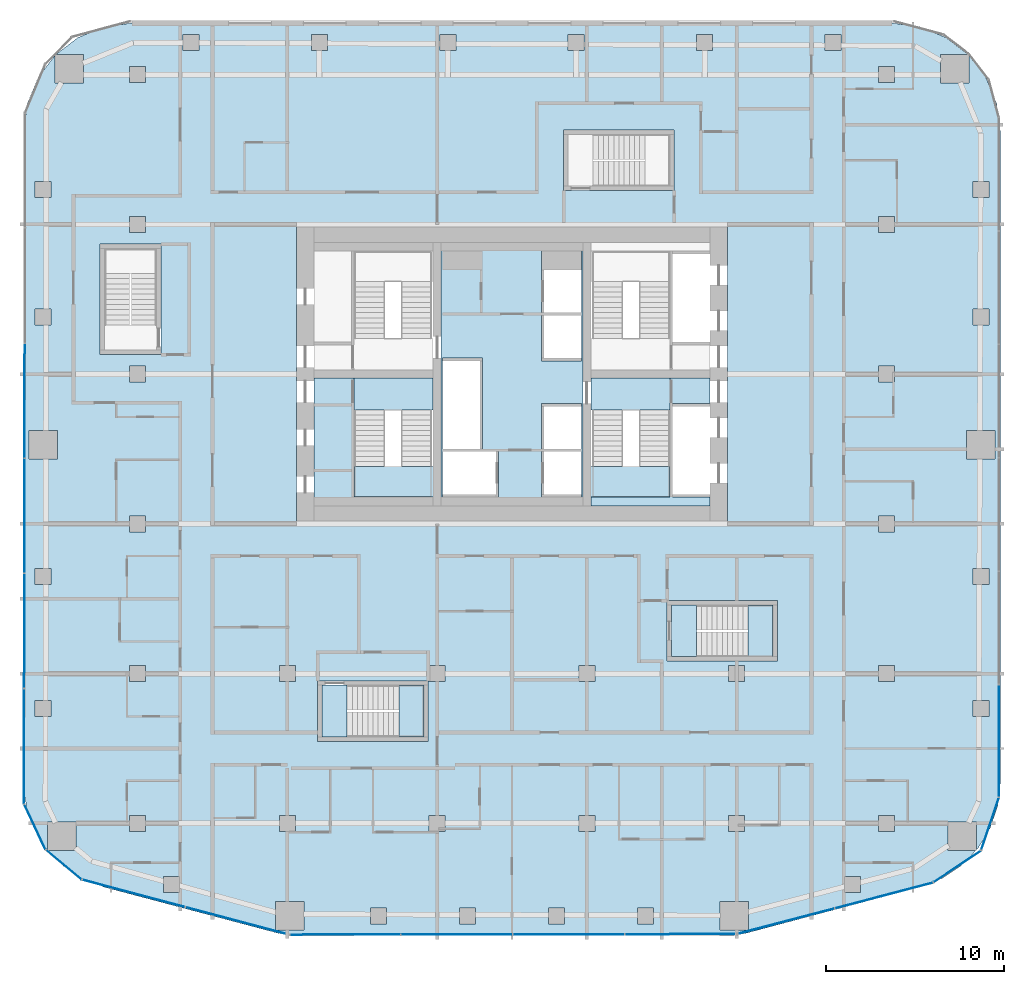
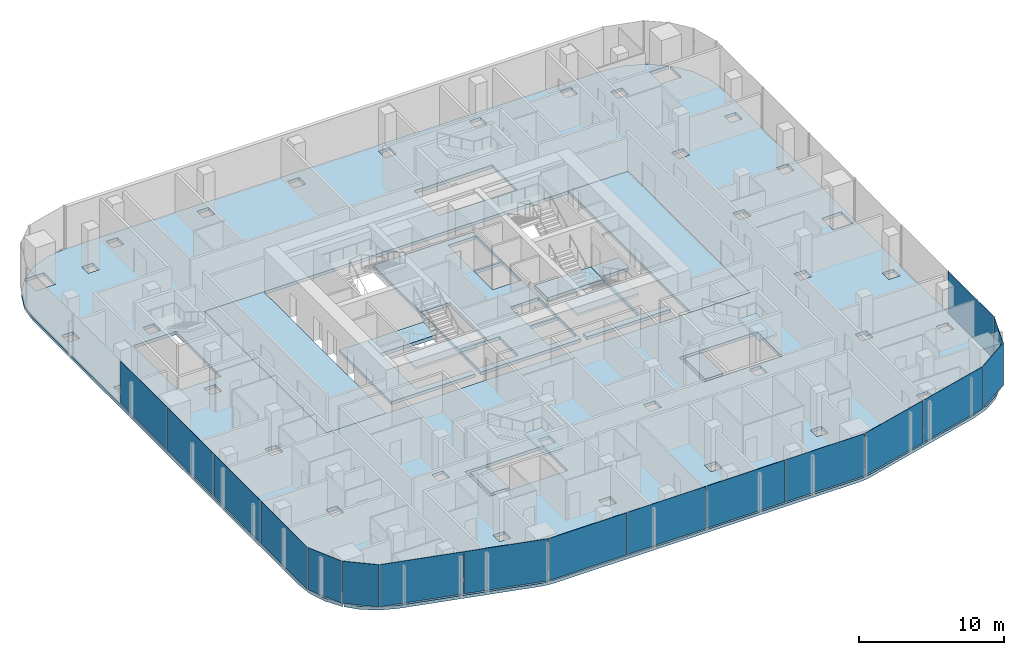
# One storey, part 12 of 23: 17 plates, 14 slabs, 13 elements without a shape of their own.
"""IFC4 building model written with IfcOpenShell, lengths in metres."""

import ifcopenshell
import ifcopenshell.guid

model = None  # the IFC model being written
_history = None  # IfcOwnerHistory: only IFC2X3 demands one
_inside = {}  # id of a spatial element -> (the spatial element, [elements in it])
_under = {}  # id of a project, library or spatial element -> (it, [spatial elements below it])
_declared = {}  # id of a project -> (the project, [libraries it declares])
_typed = {}  # id of a type object -> (the type object, [elements of that type])
_made_of = {}  # id of a material, layer set ... -> (it, [elements and type objects made of it])


def new_model(schema):
    """Start an empty IFC model of exactly this schema.

    Asked for "IFC4X3", IfcOpenShell would pick the latest addendum, in which some entities
    have other attributes; the version numbers below select the first issue.
    IFC2X3 requires an IfcOwnerHistory on every rooted entity: one is made here for all.
    """
    global model, _history
    if schema == "IFC4X3":
        model = ifcopenshell.file(schema_version=(4, 3, 0, 0))
    else:
        model = ifcopenshell.file(schema=schema)
    _inside.clear()
    _under.clear()
    _declared.clear()
    _typed.clear()
    _made_of.clear()
    _history = None
    if model.schema == "IFC2X3":
        org = make("IfcOrganization", Name="unknown")
        user = make(
            "IfcPersonAndOrganization",
            ThePerson=make("IfcPerson", FamilyName="unknown"),
            TheOrganization=org,
        )
        app = make(
            "IfcApplication",
            ApplicationDeveloper=org,
            Version="unknown",
            ApplicationFullName="unknown",
            ApplicationIdentifier="unknown",
        )
        _history = make(
            "IfcOwnerHistory",
            OwningUser=user,
            OwningApplication=app,
            ChangeAction="ADDED",
            CreationDate=0,
        )
    return model


def make(cls, **values):
    """One entity of the class cls with the attributes given. An attribute that is None is left unset."""
    return model.create_entity(
        cls, **{name: value for name, value in values.items() if value is not None}
    )


def rooted(cls, **values):
    """An entity with a GlobalId (a new one), such as an element, a storey or a relation."""
    return make(cls, GlobalId=ifcopenshell.guid.new(), OwnerHistory=_history, **values)


def si_unit(unit_type, name, prefix=None):
    """IfcSIUnit, for example si_unit("LENGTHUNIT", "METRE", prefix="MILLI")."""
    return make("IfcSIUnit", UnitType=unit_type, Prefix=prefix, Name=name)


def assignment(units):
    """IfcUnitAssignment: the units of a project."""
    return None if units is None else make("IfcUnitAssignment", Units=units)


def point(xyz):
    """IfcCartesianPoint."""
    return None if xyz is None else make("IfcCartesianPoint", Coordinates=xyz)


def direction(xyz):
    """IfcDirection."""
    return None if xyz is None else make("IfcDirection", DirectionRatios=xyz)


def frame(location, z_axis=None, x_axis=None):
    """IfcAxis2Placement3D, a coordinate frame: its origin and axes. An axis left out is left unset."""
    return make(
        "IfcAxis2Placement3D",
        Location=point(location),
        Axis=direction(z_axis),
        RefDirection=direction(x_axis),
    )


def frame_2d(location, x_axis=None):
    """IfcAxis2Placement2D, a coordinate frame in the plane: its origin and x axis."""
    return make(
        "IfcAxis2Placement2D", Location=point(location), RefDirection=direction(x_axis)
    )


def origin():
    """The frame at (0, 0, 0) with its axes left unset."""
    return frame((0.0, 0.0, 0.0))


def origin_2d():
    """The frame at (0, 0) in the plane with its x axis left unset."""
    return frame_2d((0.0, 0.0))


def place(relative_to, where):
    """IfcLocalPlacement: puts the frame where relative to a parent placement (None: the world)."""
    return make(
        "IfcLocalPlacement", PlacementRelTo=relative_to, RelativePlacement=where
    )


def context(
    kind, dimensions, precision=None, world=None, true_north=None, identifier=None
):
    """IfcGeometricRepresentationContext, for example the 3D "Model" context."""
    return make(
        "IfcGeometricRepresentationContext",
        ContextIdentifier=identifier,
        ContextType=kind,
        CoordinateSpaceDimension=dimensions,
        Precision=precision,
        WorldCoordinateSystem=world,
        TrueNorth=true_north,
    )


def subcontext(parent, identifier, kind, view, scale=None):
    """IfcGeometricRepresentationSubContext, for example "Body" below "Model"."""
    return make(
        "IfcGeometricRepresentationSubContext",
        ContextIdentifier=identifier,
        ContextType=kind,
        ParentContext=parent,
        TargetScale=scale,
        TargetView=view,
    )


def project(units=None, contexts=None):
    """IfcProject with its units and contexts."""
    return rooted(
        "IfcProject",
        Name="project",
        RepresentationContexts=contexts,
        UnitsInContext=assignment(units),
    )


def spatial(cls, under=None, at=None, **own):
    """A site, building, storey or space (cls), placed at a placement, below another one or the project."""
    s = rooted(cls, ObjectPlacement=at, **own)
    if under is not None:
        _under.setdefault(under.id(), (under, []))[1].append(s)
    return s


def polyline(points):
    """IfcPolyline through the points."""
    return make("IfcPolyline", Points=[point(p) for p in points])


def profile(cls, at=None, kind="AREA", **sizes):
    """A parametric profile (cls). Its sizes go by their IFC names, for example OverallWidth=200.0."""
    return make(cls, ProfileType=kind, Position=at, **sizes)


def rectangle(**sizes):
    """IfcRectangleProfileDef."""
    return profile("IfcRectangleProfileDef", **sizes)


def outline(outer, holes=None, kind="AREA"):
    """IfcArbitraryClosedProfileDef: a profile drawn as a closed curve; with holes, ...WithVoids."""
    if holes is None:
        return make("IfcArbitraryClosedProfileDef", ProfileType=kind, OuterCurve=outer)
    return make(
        "IfcArbitraryProfileDefWithVoids",
        ProfileType=kind,
        OuterCurve=outer,
        InnerCurves=holes,
    )


def extrude(swept, where, along, depth):
    """IfcExtrudedAreaSolid: the profile swept, set in the frame where, extruded along a direction by depth."""
    return make(
        "IfcExtrudedAreaSolid",
        SweptArea=swept,
        Position=where,
        ExtrudedDirection=direction(along),
        Depth=depth,
    )


def shape(context_of_items, identifier, shape_type, items):
    """IfcShapeRepresentation: the items that make up one representation, for example the "Body"."""
    return make(
        "IfcShapeRepresentation",
        ContextOfItems=context_of_items,
        RepresentationIdentifier=identifier,
        RepresentationType=shape_type,
        Items=items,
    )


def material(Name=None, Category=None):
    """IfcMaterial."""
    return make("IfcMaterial", Name=Name, Category=Category)


def layer(
    of_material, thickness, ventilated=None, Name=None, Category=None, Priority=None
):
    """IfcMaterialLayer: one layer of a wall or slab, of a material (None: an air gap)."""
    return make(
        "IfcMaterialLayer",
        Material=of_material,
        LayerThickness=thickness,
        IsVentilated=ventilated,
        Name=Name,
        Category=Category,
        Priority=Priority,
    )


def layer_set(layers, Name=None):
    """IfcMaterialLayerSet."""
    return make("IfcMaterialLayerSet", MaterialLayers=layers, LayerSetName=Name)


def made_of(thing, what):
    """Note that an element or type object is made of a material, layer set ...; save() writes the relation."""
    if what is not None:
        _made_of.setdefault(what.id(), (what, []))[1].append(thing)
    return thing


def type_object(cls, material=None, **own):
    """A type object (cls), such as IfcWallType, which elements share."""
    return made_of(rooted(cls, **own), material)


def element(
    cls,
    number,
    at=None,
    inside=None,
    cuts=None,
    type_object=None,
    material=None,
    context=None,
    identifier="Body",
    shape_type=None,
    held_by="IfcProductDefinitionShape",
    body=None,
    shapes=None,
    **own,
):
    """One element of the class cls, such as IfcWall. Its Tag is "e" and its number.

    at: its placement. inside: the storey or other place that contains it. cuts: it is an
    opening in that element (IfcRelVoidsElement). A single representation is given by context,
    identifier, shape_type and body (its items); several are given by shapes. held_by: the class
    of the entity that holds the representations. save() writes the other relations.
    """
    e = rooted(cls, Tag="e%d" % number, ObjectPlacement=at, **own)
    if body is not None:
        shapes = [shape(context, identifier, shape_type, body)]
    if shapes is not None:
        e.Representation = make(held_by, Representations=shapes)
    if inside is not None:
        _inside.setdefault(inside.id(), (inside, []))[1].append(e)
    if cuts is not None:
        rooted(
            "IfcRelVoidsElement", RelatingBuildingElement=cuts, RelatedOpeningElement=e
        )
    if type_object is not None:
        _typed.setdefault(type_object.id(), (type_object, []))[1].append(e)
    return made_of(e, material)


def aggregate(whole, parts):
    """IfcRelAggregates: a whole, such as a stair, and the parts it consists of."""
    return rooted("IfcRelAggregates", RelatingObject=whole, RelatedObjects=parts)


def save(model, path):
    """Write the relations noted so far, then the file.

    IfcRelAggregates (storeys below a building ...), IfcRelContainedInSpatialStructure (elements
    in a storey), IfcRelDefinesByType, IfcRelAssociatesMaterial and IfcRelDeclares: one each for
    every whole, place, type object, material and project.
    """
    for whole, parts in _under.values():
        aggregate(whole, parts)
    for where, things in _inside.values():
        rooted(
            "IfcRelContainedInSpatialStructure",
            RelatedElements=things,
            RelatingStructure=where,
        )
    for kind, things in _typed.values():
        rooted("IfcRelDefinesByType", RelatedObjects=things, RelatingType=kind)
    for what, things in _made_of.values():
        rooted("IfcRelAssociatesMaterial", RelatedObjects=things, RelatingMaterial=what)
    for by, libraries in _declared.values():
        rooted("IfcRelDeclares", RelatingContext=by, RelatedDefinitions=libraries)
    model.write(path)


model = new_model("IFC4")

# Units and contexts
model_context = context("Model", 3, precision=1e-05, world=origin(), true_north=direction((0.0, 1.0)))
body_context = subcontext(model_context, "Body", "Model", "MODEL_VIEW")
ifc_project = project(units=[si_unit("LENGTHUNIT", "METRE"), si_unit("AREAUNIT", "SQUARE_METRE"), si_unit("VOLUMEUNIT", "CUBIC_METRE"), si_unit("PLANEANGLEUNIT", "RADIAN"), si_unit("MASSUNIT", "GRAM", prefix="KILO")], contexts=[model_context])

# Site, building, storey
site_placement = place(None, origin())
site = spatial("IfcSite", under=ifc_project, at=site_placement, CompositionType="ELEMENT")
building_placement = place(site_placement, origin())
building = spatial("IfcBuilding", under=site, at=building_placement, Name="Marenta Gate Hotel Tower", CompositionType="ELEMENT")
storey_placement = place(building_placement, frame((0.0, 0.0, 155.300048828125)))
storey = spatial("IfcBuildingStorey", under=building, at=storey_placement, Name="L36", CompositionType="ELEMENT", Elevation=155.300048828125)

# Slabs
ifc_material_1 = material(Name="Concrete C35", Category="concrete")
ifc_layer_1 = layer(ifc_material_1, 0.260009765625)
ifc_layer_set_1 = layer_set([ifc_layer_1], Name="Concrete C35")
slab_type_1 = type_object("IfcSlabType", Name="Concrete floor slab 260", PredefinedType="FLOOR", material=ifc_layer_set_1)
slab_1_placement = place(storey_placement, frame((0.0, 0.0, -0.260009765625)))
element("IfcSlab", 1, at=slab_1_placement, inside=storey, type_object=slab_type_1, Name="L36-SL-1", PredefinedType="FLOOR", context=body_context, shape_type="SweptSolid", body=[
    extrude(outline(polyline([(-25.213623046875, -19.1640625), (-26.011474609375, -18.3330078125), (-24.462890625, -18.3330078125), (-24.462890625, -16.73291015625), (-26.06298828125, -16.73291015625), (-26.06298828125, -18.279296875), (-26.13525390625, -18.2041015625), (-26.826904296875, -17.06689453125), (-27.25537109375, -15.80712890625), (-27.39990234375, -14.48974609375), (-27.39990234375, 22.006591796875), (-27.193115234375, 23.5791015625), (-26.58349609375, 25.050537109375), (-25.635498046875, 26.285888671875), (-25.635498046875, 24.735595703125), (-24.035400390625, 24.735595703125), (-24.035400390625, 26.33544921875), (-25.585693359375, 26.33544921875), (-24.350341796875, 27.283447265625), (-22.87890625, 27.89306640625), (-21.306640625, 28.10009765625), (21.306640625, 28.10009765625), (22.87890625, 27.89306640625), (24.350341796875, 27.283447265625), (25.585693359375, 26.33544921875), (24.035400390625, 26.33544921875), (24.035400390625, 24.735595703125), (25.635498046875, 24.735595703125), (25.635498046875, 26.285888671875), (26.58349609375, 25.050537109375), (27.193115234375, 23.5791015625), (27.39990234375, 22.006591796875), (27.39990234375, -14.48974609375), (27.25537109375, -15.80712890625), (26.826904296875, -17.06689453125), (26.13525390625, -18.2041015625), (26.06298828125, -18.279296875), (26.06298828125, -16.73291015625), (24.462890625, -16.73291015625), (24.462890625, -18.3330078125), (26.011474609375, -18.3330078125), (25.213623046875, -19.1640625), (24.105712890625, -19.9013671875), (22.86962890625, -20.37890625), (13.126708984375, -22.963623046875), (12.608642578125, -23.065673828125), (12.08154296875, -23.10009765625), (-12.08154296875, -23.10009765625), (-12.608642578125, -23.065673828125), (-13.126708984375, -22.963623046875), (-22.86962890625, -20.37890625), (-24.105712890625, -19.9013671875), (-25.213623046875, -19.1640625)]), holes=[polyline([(-16.800048828125, 0.0), (16.800048828125, 0.0), (16.800048828125, 16.800048828125), (-16.800048828125, 16.800048828125), (-16.800048828125, 0.0)]), polyline([(-18.65673828125, -19.7890625), (-19.556884765625, -19.7890625), (-19.556884765625, -20.689208984375), (-18.65673828125, -20.689208984375), (-18.65673828125, -19.7890625)]), polyline([(-20.550048828125, -17.25), (-20.550048828125, -16.35009765625), (-21.449951171875, -16.35009765625), (-21.449951171875, -17.25), (-20.550048828125, -17.25)]), polyline([(-12.14990234375, -16.35009765625), (-13.050048828125, -16.35009765625), (-13.050048828125, -17.25), (-12.14990234375, -17.25), (-12.14990234375, -16.35009765625)]), polyline([(-25.85009765625, -10.802001953125), (-25.85009765625, -9.90185546875), (-26.75, -9.90185546875), (-26.75, -10.802001953125), (-25.85009765625, -10.802001953125)]), polyline([(-20.550048828125, -8.85009765625), (-20.550048828125, -7.949951171875), (-21.449951171875, -7.949951171875), (-21.449951171875, -8.85009765625), (-20.550048828125, -8.85009765625)]), polyline([(-25.85009765625, -2.5009765625), (-26.75, -2.5009765625), (-26.75, -3.40087890625), (-25.85009765625, -3.40087890625), (-25.85009765625, -2.5009765625)]), polyline([(-20.550048828125, -0.449951171875), (-20.550048828125, 0.449951171875), (-21.449951171875, 0.449951171875), (-21.449951171875, -0.449951171875), (-20.550048828125, -0.449951171875)]), polyline([(-25.5, 3.64990234375), (-25.5, 5.25), (-27.10009765625, 5.25), (-27.10009765625, 3.64990234375), (-25.5, 3.64990234375)]), polyline([(-20.550048828125, 8.85009765625), (-21.449951171875, 8.85009765625), (-21.449951171875, 7.949951171875), (-20.550048828125, 7.949951171875), (-20.550048828125, 8.85009765625)]), polyline([(-25.85009765625, 11.1533203125), (-25.85009765625, 12.05322265625), (-26.75, 12.05322265625), (-26.75, 11.1533203125), (-25.85009765625, 11.1533203125)]), polyline([(-20.550048828125, 16.35009765625), (-20.550048828125, 17.25), (-21.449951171875, 17.25), (-21.449951171875, 16.35009765625), (-20.550048828125, 16.35009765625)]), polyline([(-25.85009765625, 19.206298828125), (-26.75, 19.206298828125), (-26.75, 18.306396484375), (-25.85009765625, 18.306396484375), (-25.85009765625, 19.206298828125)]), polyline([(-20.550048828125, 24.75), (-20.550048828125, 25.64990234375), (-21.449951171875, 25.64990234375), (-21.449951171875, 24.75), (-20.550048828125, 24.75)]), polyline([(-17.556884765625, 27.449951171875), (-18.456787109375, 27.449951171875), (-18.456787109375, 26.550048828125), (-17.556884765625, 26.550048828125), (-17.556884765625, 27.449951171875)]), polyline([(-7.030029296875, -22.449951171875), (-7.030029296875, -21.550048828125), (-7.93017578125, -21.550048828125), (-7.93017578125, -22.449951171875), (-7.030029296875, -22.449951171875)]), polyline([(-2.04345703125, -22.449951171875), (-2.04345703125, -21.550048828125), (-2.943359375, -21.550048828125), (-2.943359375, -22.449951171875), (-2.04345703125, -22.449951171875)]), polyline([(2.943359375, -21.550048828125), (2.04345703125, -21.550048828125), (2.04345703125, -22.449951171875), (2.943359375, -22.449951171875), (2.943359375, -21.550048828125)]), polyline([(7.93017578125, -22.449951171875), (7.93017578125, -21.550048828125), (7.030029296875, -21.550048828125), (7.030029296875, -22.449951171875), (7.93017578125, -22.449951171875)]), polyline([(-11.666259765625, -22.77490234375), (-11.666259765625, -21.1748046875), (-13.266357421875, -21.1748046875), (-13.266357421875, -22.77490234375), (-11.666259765625, -22.77490234375)]), polyline([(13.266357421875, -21.1748046875), (11.666259765625, -21.1748046875), (11.666259765625, -22.77490234375), (13.266357421875, -22.77490234375), (13.266357421875, -21.1748046875)]), polyline([(-3.75, -17.25), (-3.75, -16.35009765625), (-4.64990234375, -16.35009765625), (-4.64990234375, -17.25), (-3.75, -17.25)]), polyline([(4.64990234375, -17.25), (4.64990234375, -16.35009765625), (3.75, -16.35009765625), (3.75, -17.25), (4.64990234375, -17.25)]), polyline([(13.050048828125, -16.35009765625), (12.14990234375, -16.35009765625), (12.14990234375, -17.25), (13.050048828125, -17.25), (13.050048828125, -16.35009765625)]), polyline([(-12.14990234375, -8.85009765625), (-12.14990234375, -7.949951171875), (-13.050048828125, -7.949951171875), (-13.050048828125, -8.85009765625), (-12.14990234375, -8.85009765625)]), polyline([(-3.75, -8.85009765625), (-3.75, -7.949951171875), (-4.64990234375, -7.949951171875), (-4.64990234375, -8.85009765625), (-3.75, -8.85009765625)]), polyline([(4.64990234375, -7.949951171875), (3.75, -7.949951171875), (3.75, -8.85009765625), (4.64990234375, -8.85009765625), (4.64990234375, -7.949951171875)]), polyline([(-10.35400390625, 26.550048828125), (-10.35400390625, 27.449951171875), (-11.254150390625, 27.449951171875), (-11.254150390625, 26.550048828125), (-10.35400390625, 26.550048828125)]), polyline([(-3.1513671875, 26.550048828125), (-3.1513671875, 27.449951171875), (-4.051513671875, 27.449951171875), (-4.051513671875, 26.550048828125), (-3.1513671875, 26.550048828125)]), polyline([(4.051513671875, 27.449951171875), (3.1513671875, 27.449951171875), (3.1513671875, 26.550048828125), (4.051513671875, 26.550048828125), (4.051513671875, 27.449951171875)]), polyline([(11.254150390625, 26.550048828125), (11.254150390625, 27.449951171875), (10.35400390625, 27.449951171875), (10.35400390625, 26.550048828125), (11.254150390625, 26.550048828125)]), polyline([(19.556884765625, -20.689208984375), (19.556884765625, -19.7890625), (18.65673828125, -19.7890625), (18.65673828125, -20.689208984375), (19.556884765625, -20.689208984375)]), polyline([(21.449951171875, -17.25), (21.449951171875, -16.35009765625), (20.550048828125, -16.35009765625), (20.550048828125, -17.25), (21.449951171875, -17.25)]), polyline([(26.75, -10.802001953125), (26.75, -9.90185546875), (25.85009765625, -9.90185546875), (25.85009765625, -10.802001953125), (26.75, -10.802001953125)]), polyline([(13.050048828125, -7.949951171875), (12.14990234375, -7.949951171875), (12.14990234375, -8.85009765625), (13.050048828125, -8.85009765625), (13.050048828125, -7.949951171875)]), polyline([(21.449951171875, -8.85009765625), (21.449951171875, -7.949951171875), (20.550048828125, -7.949951171875), (20.550048828125, -8.85009765625), (21.449951171875, -8.85009765625)]), polyline([(26.75, -3.40087890625), (26.75, -2.5009765625), (25.85009765625, -2.5009765625), (25.85009765625, -3.40087890625), (26.75, -3.40087890625)]), polyline([(21.449951171875, 0.449951171875), (20.550048828125, 0.449951171875), (20.550048828125, -0.449951171875), (21.449951171875, -0.449951171875), (21.449951171875, 0.449951171875)]), polyline([(27.10009765625, 3.64990234375), (27.10009765625, 5.25), (25.5, 5.25), (25.5, 3.64990234375), (27.10009765625, 3.64990234375)]), polyline([(21.449951171875, 7.949951171875), (21.449951171875, 8.85009765625), (20.550048828125, 8.85009765625), (20.550048828125, 7.949951171875), (21.449951171875, 7.949951171875)]), polyline([(26.75, 12.05322265625), (25.85009765625, 12.05322265625), (25.85009765625, 11.1533203125), (26.75, 11.1533203125), (26.75, 12.05322265625)]), polyline([(21.449951171875, 16.35009765625), (21.449951171875, 17.25), (20.550048828125, 17.25), (20.550048828125, 16.35009765625), (21.449951171875, 16.35009765625)]), polyline([(26.75, 18.306396484375), (26.75, 19.206298828125), (25.85009765625, 19.206298828125), (25.85009765625, 18.306396484375), (26.75, 18.306396484375)]), polyline([(21.449951171875, 25.64990234375), (20.550048828125, 25.64990234375), (20.550048828125, 24.75), (21.449951171875, 24.75), (21.449951171875, 25.64990234375)]), polyline([(18.456787109375, 26.550048828125), (18.456787109375, 27.449951171875), (17.556884765625, 27.449951171875), (17.556884765625, 26.550048828125), (18.456787109375, 26.550048828125)]), polyline([(-10.89990234375, -12.199951171875), (-4.699951171875, -12.199951171875), (-4.699951171875, -8.800048828125), (-10.89990234375, -8.800048828125), (-10.89990234375, -12.199951171875)]), polyline([(8.699951171875, -7.699951171875), (14.89990234375, -7.699951171875), (14.89990234375, -4.300048828125), (8.699951171875, -4.300048828125), (8.699951171875, -7.699951171875)]), polyline([(-23.10009765625, 9.5), (-19.699951171875, 9.5), (-19.699951171875, 15.699951171875), (-23.10009765625, 15.699951171875), (-23.10009765625, 9.5)]), polyline([(2.89990234375, 18.699951171875), (9.10009765625, 18.699951171875), (9.10009765625, 22.10009765625), (2.89990234375, 22.10009765625), (2.89990234375, 18.699951171875)])]), origin(), (0.0, 0.0, 1.0), 0.260009765625),
])
ifc_material_2 = material(Name="Concrete C40", Category="concrete")
ifc_layer_2 = layer(ifc_material_2, 0.260009765625)
ifc_layer_set_2 = layer_set([ifc_layer_2], Name="Concrete C40")
slab_type_2 = type_object("IfcSlabType", Name="Core floor slab 260", PredefinedType="FLOOR", material=ifc_layer_set_2)
slab_2_placement = place(storey_placement, frame((0.0, 0.0, -0.260009765625)))
element("IfcSlab", 2, at=slab_2_placement, inside=storey, type_object=slab_type_2, Name="L36-CF-1", PredefinedType="FLOOR", context=body_context, shape_type="SweptSolid", body=[
    extrude(outline(polyline([(12.10009765625, 0.0), (12.10009765625, 16.800048828125), (16.800048828125, 16.800048828125), (16.800048828125, 0.0), (12.10009765625, 0.0)])), origin(), (0.0, 0.0, 1.0), 0.260009765625),
])
slab_3_placement = place(storey_placement, frame((0.0, 0.0, -0.260009765625)))
element("IfcSlab", 3, at=slab_3_placement, inside=storey, type_object=slab_type_2, Name="L36-CF-2", PredefinedType="FLOOR", context=body_context, shape_type="SweptSolid", body=[
    extrude(outline(polyline([(8.85009765625, 1.5), (8.85009765625, 6.39990234375), (8.85009765625, 8.10009765625), (8.85009765625, 8.175048828125), (11.10009765625, 8.175048828125), (11.10009765625, 6.75), (9.0, 6.75), (9.0, 6.60009765625), (9.0, 4.199951171875), (9.0, 4.050048828125), (9.0, 1.64990234375), (9.0, 1.5), (11.10009765625, 1.5), (11.10009765625, 1.0), (4.425048828125, 1.0), (4.425048828125, 1.5), (8.85009765625, 1.5)])), origin(), (0.0, 0.0, 1.0), 0.260009765625),
])
slab_4_placement = place(storey_placement, frame((0.0, 0.0, -0.260009765625)))
element("IfcSlab", 4, at=slab_4_placement, inside=storey, type_object=slab_type_2, Name="L36-CF-4", PredefinedType="FLOOR", context=body_context, shape_type="SweptSolid", body=[
    extrude(outline(polyline([(3.97509765625, 15.300048828125), (3.97509765625, 10.39990234375), (3.97509765625, 6.39990234375), (3.97509765625, 1.5), (3.97509765625, 1.0), (-3.97509765625, 1.0), (-3.97509765625, 1.5), (-3.97509765625, 6.39990234375), (-3.97509765625, 10.39990234375), (-3.97509765625, 15.300048828125), (-3.97509765625, 15.800048828125), (3.97509765625, 15.800048828125), (3.97509765625, 15.300048828125)]), holes=[polyline([(1.64990234375, 1.5), (3.89990234375, 1.5), (3.89990234375, 1.64990234375), (3.89990234375, 4.050048828125), (1.800048828125, 4.050048828125), (1.64990234375, 4.050048828125), (1.64990234375, 1.64990234375), (1.64990234375, 1.5)]), polyline([(1.64990234375, 6.60009765625), (1.64990234375, 4.199951171875), (1.800048828125, 4.199951171875), (3.89990234375, 4.199951171875), (3.89990234375, 6.60009765625), (3.89990234375, 6.75), (1.64990234375, 6.75), (1.64990234375, 6.60009765625)]), polyline([(1.64990234375, 9.14990234375), (3.89990234375, 9.14990234375), (3.89990234375, 9.300048828125), (3.89990234375, 11.699951171875), (1.800048828125, 11.699951171875), (1.64990234375, 11.699951171875), (1.64990234375, 9.300048828125), (1.64990234375, 9.14990234375)]), polyline([(1.64990234375, 15.300048828125), (1.64990234375, 14.25), (1.64990234375, 11.85009765625), (1.800048828125, 11.85009765625), (3.89990234375, 11.85009765625), (3.89990234375, 14.25), (3.89990234375, 15.300048828125), (1.64990234375, 15.300048828125)]), polyline([(-3.89990234375, 4.050048828125), (-3.89990234375, 1.64990234375), (-3.89990234375, 1.5), (-0.89990234375, 1.5), (-0.75, 1.5), (-0.75, 4.050048828125), (-0.89990234375, 4.050048828125), (-3.89990234375, 4.050048828125)]), polyline([(-1.800048828125, 4.199951171875), (-1.64990234375, 4.199951171875), (-1.64990234375, 9.14990234375), (-1.64990234375, 9.300048828125), (-3.89990234375, 9.300048828125), (-3.89990234375, 9.14990234375), (-3.89990234375, 6.75), (-3.89990234375, 6.60009765625), (-3.89990234375, 4.199951171875), (-1.800048828125, 4.199951171875)])]), origin(), (0.0, 0.0, 1.0), 0.260009765625),
])
slab_5_placement = place(storey_placement, frame((0.0, 0.0, -0.260009765625)))
element("IfcSlab", 5, at=slab_5_placement, inside=storey, type_object=slab_type_2, Name="L36-CF-5", PredefinedType="FLOOR", context=body_context, shape_type="SweptSolid", body=[
    extrude(outline(polyline([(-8.85009765625, 8.175048828125), (-8.85009765625, 8.10009765625), (-8.85009765625, 6.39990234375), (-8.85009765625, 1.5), (-4.425048828125, 1.5), (-4.425048828125, 1.0), (-11.10009765625, 1.0), (-11.10009765625, 8.175048828125), (-8.85009765625, 8.175048828125)])), origin(), (0.0, 0.0, 1.0), 0.260009765625),
])
slab_6_placement = place(storey_placement, frame((0.0, 0.0, -0.260009765625)))
element("IfcSlab", 6, at=slab_6_placement, inside=storey, type_object=slab_type_2, Name="L36-CF-7", PredefinedType="FLOOR", context=body_context, shape_type="SweptSolid", body=[
    extrude(outline(polyline([(-12.10009765625, 16.800048828125), (-12.10009765625, 0.0), (-16.800048828125, 0.0), (-16.800048828125, 16.800048828125), (-12.10009765625, 16.800048828125)])), origin(), (0.0, 0.0, 1.0), 0.260009765625),
])

# Stair, slab
ifc_material_3 = material(Name="Concrete C40", Category="concrete")
stair_type_1 = type_object("IfcStairType", Name="Core exit stair 1700 wide", PredefinedType="HALF_TURN_STAIR", material=ifc_material_3)
stair_1_placement = place(storey_placement, origin())
stair_1 = element("IfcStair", 7, at=stair_1_placement, inside=storey, type_object=stair_type_1, Name="Exit stair 1", PredefinedType="HALF_TURN_STAIR")
ifc_material_4 = material(Name="Concrete C40", Category="concrete")
ifc_layer_3 = layer(ifc_material_4, 0.199951171875)
ifc_layer_set_3 = layer_set([ifc_layer_3], Name="Concrete C40")
slab_type_3 = type_object("IfcSlabType", Name="Core stair landing 200", PredefinedType="LANDING", material=ifc_layer_set_3)
slab_7_placement = place(storey_placement, frame((0.0, 0.0, 1.599853515625)))
slab_7 = element("IfcSlab", 8, at=slab_7_placement, type_object=slab_type_3, Name="SL-200 ST1 landing 1", PredefinedType="LANDING", context=body_context, shape_type="SweptSolid", body=[
    extrude(outline(polyline([(-8.85009765625, 1.5), (-3.97509765625, 1.5), (-3.97509765625, 3.2099609375), (-8.85009765625, 3.2099609375), (-8.85009765625, 1.5)])), origin(), (0.0, 0.0, 1.0), 0.2001953125),
])
aggregate(stair_1, [slab_7])

stair_2_placement = place(storey_placement, origin())
stair_2 = element("IfcStair", 9, at=stair_2_placement, inside=storey, type_object=stair_type_1, Name="Exit stair 3", PredefinedType="HALF_TURN_STAIR")
slab_8_placement = place(storey_placement, frame((0.0, 0.0, 1.599853515625)))
slab_8 = element("IfcSlab", 10, at=slab_8_placement, type_object=slab_type_3, Name="SL-200 ST3 landing 1", PredefinedType="LANDING", context=body_context, shape_type="SweptSolid", body=[
    extrude(outline(polyline([(3.97509765625, 1.5), (8.85009765625, 1.5), (8.85009765625, 3.2099609375), (3.97509765625, 3.2099609375), (3.97509765625, 1.5)])), origin(), (0.0, 0.0, 1.0), 0.2001953125),
])
aggregate(stair_2, [slab_8])

# Curtain wall, plates
ifc_material_5 = material(Name="Tinted insulated glass in bronze anodised frame", Category="glass")
ifc_layer_4 = layer(ifc_material_5, 0.1201171875)
ifc_layer_set_4 = layer_set([ifc_layer_4], Name="Tinted insulated glass in bronze anodised frame")
curtain_wall_type = type_object("IfcCurtainWallType", Name="Tower unitised curtain wall CW1", PredefinedType="NOTDEFINED", material=ifc_layer_set_4)
curtain_wall_1_placement = place(storey_placement, origin())
curtain_wall_1 = element("IfcCurtainWall", 11, at=curtain_wall_1_placement, inside=storey, type_object=curtain_wall_type, Name="CW1 run G03", PredefinedType="NOTDEFINED")
ifc_material_6 = material(Name="Tinted insulated glass", Category="glass")
ifc_layer_5 = layer(ifc_material_6, 0.028076171875)
ifc_layer_set_5 = layer_set([ifc_layer_5], Name="Tinted insulated glass")
plate_type = type_object("IfcPlateType", Name="Glass panel CW1 28 mm tinted insulated unit", PredefinedType="CURTAIN_PANEL", material=ifc_layer_set_5)
plate_1_placement = place(storey_placement, frame((-27.337646484375, 6.916259765625, 0.059814453125), z_axis=(0.0, 0.0, 1.0), x_axis=(-0.001566045546, -0.99999877375, 0.0)))
plate_1 = element("IfcPlate", 12, at=plate_1_placement, type_object=plate_type, Name="CW1 panel 3.1", PredefinedType="CURTAIN_PANEL", context=body_context, shape_type="SweptSolid", body=[
    extrude(rectangle(XDim=6.39990234375, YDim=0.028076171875, at=origin_2d()), origin(), (0.0, 0.0, 1.0), 3.5400390625),
])
plate_2_placement = place(storey_placement, frame((-27.34765625, 0.456298828125, 0.059814453125), z_axis=(0.0, 0.0, 1.0), x_axis=(-0.001566045546, -0.99999877375, 0.0)))
plate_2 = element("IfcPlate", 13, at=plate_2_placement, type_object=plate_type, Name="CW1 panel 4.1", PredefinedType="CURTAIN_PANEL", context=body_context, shape_type="SweptSolid", body=[
    extrude(rectangle(XDim=6.39990234375, YDim=0.028076171875, at=origin_2d()), origin(), (0.0, 0.0, 1.0), 3.5400390625),
])
plate_3_placement = place(storey_placement, frame((-27.35791015625, -6.00390625, 0.059814453125), z_axis=(0.0, 0.0, 1.0), x_axis=(-0.001566045546, -0.99999877375, 0.0)))
plate_3 = element("IfcPlate", 14, at=plate_3_placement, type_object=plate_type, Name="CW1 panel 5.1", PredefinedType="CURTAIN_PANEL", context=body_context, shape_type="SweptSolid", body=[
    extrude(rectangle(XDim=6.39990234375, YDim=0.028076171875, at=origin_2d()), origin(), (0.0, 0.0, 1.0), 3.5400390625),
])
plate_4_placement = place(storey_placement, frame((-27.367919921875, -12.478759765625, 0.059814453125), z_axis=(0.0, 0.0, 1.0), x_axis=(-0.001566045546, -0.99999877375, 0.0)))
plate_4 = element("IfcPlate", 15, at=plate_4_placement, type_object=plate_type, Name="CW1 panel 6.1", PredefinedType="CURTAIN_PANEL", context=body_context, shape_type="SweptSolid", body=[
    extrude(rectangle(XDim=6.429931640625, YDim=0.028076171875, at=origin_2d()), origin(), (0.0, 0.0, 1.0), 3.5400390625),
])
aggregate(curtain_wall_1, [plate_1, plate_2, plate_3, plate_4])

# Curtain wall, plate
curtain_wall_2_placement = place(storey_placement, origin())
curtain_wall_2 = element("IfcCurtainWall", 16, at=curtain_wall_2_placement, inside=storey, type_object=curtain_wall_type, Name="CW1 run G04", PredefinedType="NOTDEFINED")
plate_5_placement = place(storey_placement, frame((-26.76123046875, -17.0029296875, 0.059814453125), z_axis=(0.0, 0.0, 1.0), x_axis=(0.423338088163, -0.905971778319, 0.0)))
plate_5 = element("IfcPlate", 17, at=plate_5_placement, type_object=plate_type, Name="CW1 panel 1.1", PredefinedType="CURTAIN_PANEL", context=body_context, shape_type="SweptSolid", body=[
    extrude(rectangle(XDim=2.77001953125, YDim=0.028076171875, at=origin_2d()), origin(), (0.0, 0.0, 1.0), 3.5400390625),
])
aggregate(curtain_wall_2, [plate_5])

curtain_wall_3_placement = place(storey_placement, origin())
curtain_wall_3 = element("IfcCurtainWall", 18, at=curtain_wall_3_placement, inside=storey, type_object=curtain_wall_type, Name="CW1 run G05", PredefinedType="NOTDEFINED")
plate_6_placement = place(storey_placement, frame((-25.14111328125, -19.1220703125, 0.059814453125), z_axis=(0.0, 0.0, 1.0), x_axis=(0.767112858807, -0.641512168126, 0.0)))
plate_6 = element("IfcPlate", 19, at=plate_6_placement, type_object=plate_type, Name="CW1 panel 1.1", PredefinedType="CURTAIN_PANEL", context=body_context, shape_type="SweptSolid", body=[
    extrude(rectangle(XDim=2.5751953125, YDim=0.028076171875, at=origin_2d()), origin(), (0.0, 0.0, 1.0), 3.5400390625),
])
aggregate(curtain_wall_3, [plate_6])

# Curtain wall, plates
curtain_wall_4_placement = place(storey_placement, origin())
curtain_wall_4 = element("IfcCurtainWall", 20, at=curtain_wall_4_placement, inside=storey, type_object=curtain_wall_type, Name="CW1 run G06", PredefinedType="NOTDEFINED")
plate_7_placement = place(storey_placement, frame((-21.22705078125, -20.726806640625, 0.059814453125), z_axis=(0.0, 0.0, 1.0), x_axis=(0.966373195468, -0.257143631229, 0.0)))
plate_7 = element("IfcPlate", 21, at=plate_7_placement, type_object=plate_type, Name="CW1 panel 1.1", PredefinedType="CURTAIN_PANEL", context=body_context, shape_type="SweptSolid", body=[
    extrude(rectangle(XDim=5.936279296875, YDim=0.028076171875, at=origin_2d()), origin(), (0.0, 0.0, 1.0), 3.5400390625),
])
plate_8_placement = place(storey_placement, frame((-15.4033203125, -22.276611328125, 0.059814453125), z_axis=(0.0, 0.0, 1.0), x_axis=(0.966373195468, -0.257143631229, 0.0)))
plate_8 = element("IfcPlate", 22, at=plate_8_placement, type_object=plate_type, Name="CW1 panel 2.1", PredefinedType="CURTAIN_PANEL", context=body_context, shape_type="SweptSolid", body=[
    extrude(rectangle(XDim=5.996337890625, YDim=0.028076171875, at=origin_2d()), origin(), (0.0, 0.0, 1.0), 3.5400390625),
])
aggregate(curtain_wall_4, [plate_7, plate_8])

curtain_wall_5_placement = place(storey_placement, origin())
curtain_wall_5 = element("IfcCurtainWall", 23, at=curtain_wall_5_placement, inside=storey, type_object=curtain_wall_type, Name="CW1 run G07", PredefinedType="NOTDEFINED")
plate_9_placement = place(storey_placement, frame((-9.35302734375, -23.043212890625, 0.059814453125), z_axis=(0.0, 0.0, 1.0), x_axis=(0.999999072004, 0.001362347707, 0.0)))
plate_9 = element("IfcPlate", 24, at=plate_9_placement, type_object=plate_type, Name="CW1 panel 1.1", PredefinedType="CURTAIN_PANEL", context=body_context, shape_type="SweptSolid", body=[
    extrude(rectangle(XDim=6.18603515625, YDim=0.028076171875, at=origin_2d()), origin(), (0.0, 0.0, 1.0), 3.5400390625),
])
plate_10_placement = place(storey_placement, frame((-3.092041015625, -23.03466796875, 0.059814453125), z_axis=(0.0, 0.0, 1.0), x_axis=(0.999999072004, 0.001362347707, 0.0)))
plate_10 = element("IfcPlate", 25, at=plate_10_placement, type_object=plate_type, Name="CW1 panel 2.1", PredefinedType="CURTAIN_PANEL", context=body_context, shape_type="SweptSolid", body=[
    extrude(rectangle(XDim=6.2158203125, YDim=0.028076171875, at=origin_2d()), origin(), (0.0, 0.0, 1.0), 3.5400390625),
])
plate_11_placement = place(storey_placement, frame((3.183837890625, -23.026123046875, 0.059814453125), z_axis=(0.0, 0.0, 1.0), x_axis=(0.999999072004, 0.001362347707, 0.0)))
plate_11 = element("IfcPlate", 26, at=plate_11_placement, type_object=plate_type, Name="CW1 panel 3.1", PredefinedType="CURTAIN_PANEL", context=body_context, shape_type="SweptSolid", body=[
    extrude(rectangle(XDim=6.2158203125, YDim=0.028076171875, at=origin_2d()), origin(), (0.0, 0.0, 1.0), 3.5400390625),
])
plate_12_placement = place(storey_placement, frame((9.474853515625, -23.017578125, 0.059814453125), z_axis=(0.0, 0.0, 1.0), x_axis=(0.999999072004, 0.001362347707, 0.0)))
plate_12 = element("IfcPlate", 27, at=plate_12_placement, type_object=plate_type, Name="CW1 panel 4.1", PredefinedType="CURTAIN_PANEL", context=body_context, shape_type="SweptSolid", body=[
    extrude(rectangle(XDim=6.245849609375, YDim=0.028076171875, at=origin_2d()), origin(), (0.0, 0.0, 1.0), 3.5400390625),
])
aggregate(curtain_wall_5, [plate_9, plate_10, plate_11, plate_12])

curtain_wall_6_placement = place(storey_placement, origin())
curtain_wall_6 = element("IfcCurtainWall", 28, at=curtain_wall_6_placement, inside=storey, type_object=curtain_wall_type, Name="CW1 run G08", PredefinedType="NOTDEFINED")
plate_13_placement = place(storey_placement, frame((15.36474609375, -22.28857421875, 0.059814453125), z_axis=(0.0, 0.0, 1.0), x_axis=(0.967368326473, 0.253374270473, 0.0)))
plate_13 = element("IfcPlate", 29, at=plate_13_placement, type_object=plate_type, Name="CW1 panel 1.1", PredefinedType="CURTAIN_PANEL", context=body_context, shape_type="SweptSolid", body=[
    extrude(rectangle(XDim=5.6005859375, YDim=0.028076171875, at=origin_2d()), origin(), (0.0, 0.0, 1.0), 3.5400390625),
])
plate_14_placement = place(storey_placement, frame((20.86962890625, -20.8466796875, 0.059814453125), z_axis=(0.0, 0.0, 1.0), x_axis=(0.967368326473, 0.253374270473, 0.0)))
plate_14 = element("IfcPlate", 30, at=plate_14_placement, type_object=plate_type, Name="CW1 panel 2.1", PredefinedType="CURTAIN_PANEL", context=body_context, shape_type="SweptSolid", body=[
    extrude(rectangle(XDim=5.66064453125, YDim=0.028076171875, at=origin_2d()), origin(), (0.0, 0.0, 1.0), 3.5400390625),
])
aggregate(curtain_wall_6, [plate_13, plate_14])

# Curtain wall, plate
curtain_wall_7_placement = place(storey_placement, origin())
curtain_wall_7 = element("IfcCurtainWall", 31, at=curtain_wall_7_placement, inside=storey, type_object=curtain_wall_type, Name="CW1 run G09", PredefinedType="NOTDEFINED")
plate_15_placement = place(storey_placement, frame((24.981201171875, -19.215576171875, 0.059814453125), z_axis=(0.0, 0.0, 1.0), x_axis=(0.832505857051, 0.554016243423, 0.0)))
plate_15 = element("IfcPlate", 32, at=plate_15_placement, type_object=plate_type, Name="CW1 panel 1.1", PredefinedType="CURTAIN_PANEL", context=body_context, shape_type="SweptSolid", body=[
    extrude(rectangle(XDim=3.179931640625, YDim=0.028076171875, at=origin_2d()), origin(), (0.0, 0.0, 1.0), 3.5400390625),
])
aggregate(curtain_wall_7, [plate_15])

curtain_wall_8_placement = place(storey_placement, origin())
curtain_wall_8 = element("IfcCurtainWall", 33, at=curtain_wall_8_placement, inside=storey, type_object=curtain_wall_type, Name="CW1 run G10", PredefinedType="NOTDEFINED")
plate_16_placement = place(storey_placement, frame((26.819091796875, -16.822998046875, 0.059814453125), z_axis=(0.0, 0.0, 1.0), x_axis=(0.322033173773, 0.946728385013, 0.0)))
plate_16 = element("IfcPlate", 34, at=plate_16_placement, type_object=plate_type, Name="CW1 panel 1.1", PredefinedType="CURTAIN_PANEL", context=body_context, shape_type="SweptSolid", body=[
    extrude(rectangle(XDim=3.073486328125, YDim=0.028076171875, at=origin_2d()), origin(), (0.0, 0.0, 1.0), 3.5400390625),
])
aggregate(curtain_wall_8, [plate_16])

curtain_wall_9_placement = place(storey_placement, origin())
curtain_wall_9 = element("IfcCurtainWall", 35, at=curtain_wall_9_placement, inside=storey, type_object=curtain_wall_type, Name="CW1 run G11", PredefinedType="NOTDEFINED")
plate_17_placement = place(storey_placement, frame((27.31396484375, -12.173095703125, 0.059814453125), z_axis=(0.0, 0.0, 1.0), x_axis=(0.0, 1.0, 0.0)))
plate_17 = element("IfcPlate", 36, at=plate_17_placement, type_object=plate_type, Name="CW1 panel 1.1", PredefinedType="CURTAIN_PANEL", context=body_context, shape_type="SweptSolid", body=[
    extrude(rectangle(XDim=6.27001953125, YDim=0.028076171875, at=origin_2d()), origin(), (0.0, 0.0, 1.0), 3.5400390625),
])
aggregate(curtain_wall_9, [plate_17])

# Stair, slab
ifc_material_7 = material(Name="Concrete C40", Category="concrete")
stair_type_2 = type_object("IfcStairType", Name="Remote exit stair 1400 wide", PredefinedType="HALF_TURN_STAIR", material=ifc_material_7)
stair_3_placement = place(storey_placement, origin())
stair_3 = element("IfcStair", 37, at=stair_3_placement, inside=storey, type_object=stair_type_2, Name="Exit stair RS-Z2-1", PredefinedType="HALF_TURN_STAIR")
ifc_material_8 = material(Name="Concrete C40", Category="concrete")
ifc_layer_6 = layer(ifc_material_8, 0.199951171875)
ifc_layer_set_6 = layer_set([ifc_layer_6], Name="Concrete C40")
slab_type_4 = type_object("IfcSlabType", Name="Remote stair landing 200", PredefinedType="LANDING", material=ifc_layer_set_6)
slab_9_placement = place(storey_placement, frame((0.0, 0.0, 1.599853515625)))
slab_9 = element("IfcSlab", 38, at=slab_9_placement, type_object=slab_type_4, Name="RL-200 RS-Z2-1 landing 1", PredefinedType="LANDING", context=body_context, shape_type="SweptSolid", body=[
    extrude(outline(polyline([(-6.35009765625, -11.949951171875), (-4.949951171875, -11.949951171875), (-4.949951171875, -9.050048828125), (-6.35009765625, -9.050048828125), (-6.35009765625, -11.949951171875)])), origin(), (0.0, 0.0, 1.0), 0.2001953125),
])
aggregate(stair_3, [slab_9])

stair_4_placement = place(storey_placement, origin())
stair_4 = element("IfcStair", 39, at=stair_4_placement, inside=storey, type_object=stair_type_2, Name="Exit stair RS-Z2-2", PredefinedType="HALF_TURN_STAIR")
slab_10_placement = place(storey_placement, frame((0.0, 0.0, 1.599853515625)))
slab_10 = element("IfcSlab", 40, at=slab_10_placement, type_object=slab_type_4, Name="RL-200 RS-Z2-2 landing 1", PredefinedType="LANDING", context=body_context, shape_type="SweptSolid", body=[
    extrude(outline(polyline([(13.25, -7.449951171875), (14.64990234375, -7.449951171875), (14.64990234375, -4.550048828125), (13.25, -4.550048828125), (13.25, -7.449951171875)])), origin(), (0.0, 0.0, 1.0), 0.2001953125),
])
aggregate(stair_4, [slab_10])

# Slabs
ifc_material_9 = material(Name="Concrete C40", Category="concrete")
ifc_layer_7 = layer(ifc_material_9, 0.300048828125)
ifc_layer_set_7 = layer_set([ifc_layer_7], Name="Concrete C40")
slab_type_5 = type_object("IfcSlabType", Name="Stair floor landing slab 300", PredefinedType="FLOOR", material=ifc_layer_set_7)
slab_11_placement = place(storey_placement, frame((0.0, 0.0, -0.300048828125)))
element("IfcSlab", 41, at=slab_11_placement, inside=storey, type_object=slab_type_5, Name="L36-CL-ST1-1", PredefinedType="FLOOR", context=body_context, shape_type="SweptSolid", body=[
    extrude(outline(polyline([(-4.425048828125, 6.39990234375), (-8.85009765625, 6.39990234375), (-8.85009765625, 8.10009765625), (-8.85009765625, 8.175048828125), (-4.425048828125, 8.175048828125), (-4.425048828125, 6.39990234375)])), origin(), (0.0, 0.0, 1.0), 0.300048828125),
])
slab_12_placement = place(storey_placement, frame((0.0, 0.0, -0.300048828125)))
element("IfcSlab", 42, at=slab_12_placement, inside=storey, type_object=slab_type_5, Name="L36-CL-ST3-1", PredefinedType="FLOOR", context=body_context, shape_type="SweptSolid", body=[
    extrude(outline(polyline([(4.425048828125, 6.39990234375), (4.425048828125, 8.175048828125), (8.85009765625, 8.175048828125), (8.85009765625, 8.10009765625), (8.85009765625, 6.39990234375), (4.425048828125, 6.39990234375)])), origin(), (0.0, 0.0, 1.0), 0.300048828125),
])
slab_13_placement = place(storey_placement, frame((0.0, 0.0, -0.300048828125)))
element("IfcSlab", 43, at=slab_13_placement, inside=storey, type_object=slab_type_5, Name="L36-RS-Z2-1-CL", PredefinedType="FLOOR", context=body_context, shape_type="SweptSolid", body=[
    extrude(outline(polyline([(-9.25, -11.949951171875), (-9.25, -9.050048828125), (-10.64990234375, -9.050048828125), (-10.64990234375, -11.949951171875), (-9.25, -11.949951171875)])), origin(), (0.0, 0.0, 1.0), 0.300048828125),
])
slab_14_placement = place(storey_placement, frame((0.0, 0.0, -0.300048828125)))
element("IfcSlab", 44, at=slab_14_placement, inside=storey, type_object=slab_type_5, Name="L36-RS-Z2-2-CL", PredefinedType="FLOOR", context=body_context, shape_type="SweptSolid", body=[
    extrude(outline(polyline([(10.35009765625, -7.449951171875), (10.35009765625, -4.550048828125), (8.949951171875, -4.550048828125), (8.949951171875, -7.449951171875), (10.35009765625, -7.449951171875)])), origin(), (0.0, 0.0, 1.0), 0.300048828125),
])

save(model, "model.ifc")
